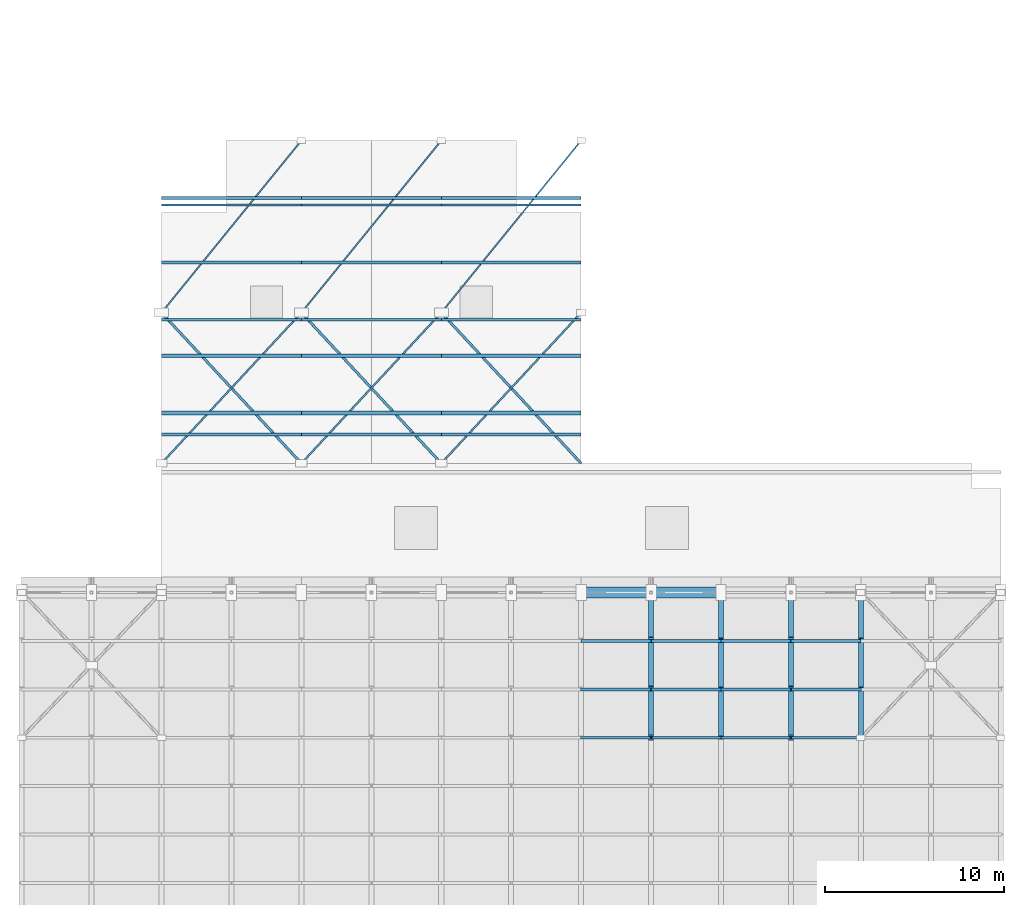
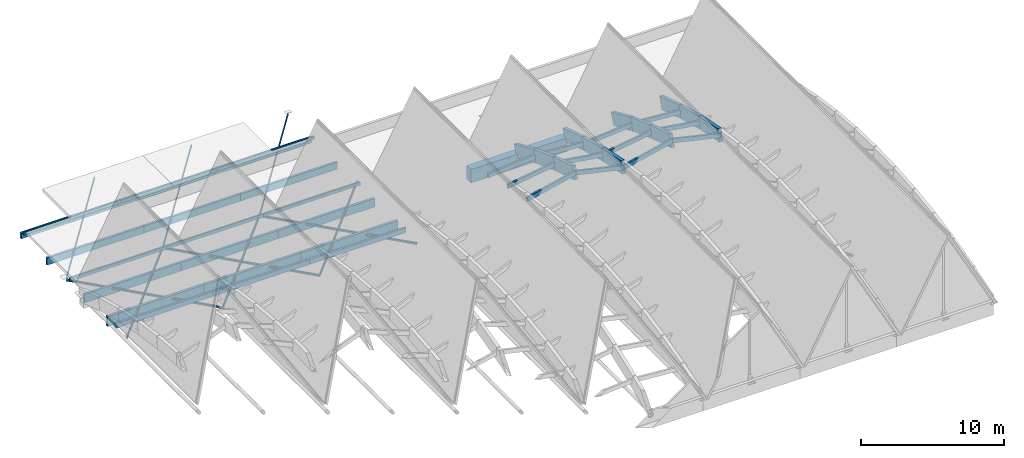
# One storey, part 20 of 39: 54 members, 1 beam.
"""IFC4 building model written with IfcOpenShell, lengths in metres."""

import ifcopenshell
import ifcopenshell.guid

model = None  # the IFC model being written
_history = None  # IfcOwnerHistory: only IFC2X3 demands one
_inside = {}  # id of a spatial element -> (the spatial element, [elements in it])
_under = {}  # id of a project, library or spatial element -> (it, [spatial elements below it])
_declared = {}  # id of a project -> (the project, [libraries it declares])
_typed = {}  # id of a type object -> (the type object, [elements of that type])
_made_of = {}  # id of a material, layer set ... -> (it, [elements and type objects made of it])


def new_model(schema):
    """Start an empty IFC model of exactly this schema.

    Asked for "IFC4X3", IfcOpenShell would pick the latest addendum, in which some entities
    have other attributes; the version numbers below select the first issue.
    IFC2X3 requires an IfcOwnerHistory on every rooted entity: one is made here for all.
    """
    global model, _history
    if schema == "IFC4X3":
        model = ifcopenshell.file(schema_version=(4, 3, 0, 0))
    else:
        model = ifcopenshell.file(schema=schema)
    _inside.clear()
    _under.clear()
    _declared.clear()
    _typed.clear()
    _made_of.clear()
    _history = None
    if model.schema == "IFC2X3":
        org = make("IfcOrganization", Name="unknown")
        user = make(
            "IfcPersonAndOrganization",
            ThePerson=make("IfcPerson", FamilyName="unknown"),
            TheOrganization=org,
        )
        app = make(
            "IfcApplication",
            ApplicationDeveloper=org,
            Version="unknown",
            ApplicationFullName="unknown",
            ApplicationIdentifier="unknown",
        )
        _history = make(
            "IfcOwnerHistory",
            OwningUser=user,
            OwningApplication=app,
            ChangeAction="ADDED",
            CreationDate=0,
        )
    return model


def make(cls, **values):
    """One entity of the class cls with the attributes given. An attribute that is None is left unset."""
    return model.create_entity(
        cls, **{name: value for name, value in values.items() if value is not None}
    )


def rooted(cls, **values):
    """An entity with a GlobalId (a new one), such as an element, a storey or a relation."""
    return make(cls, GlobalId=ifcopenshell.guid.new(), OwnerHistory=_history, **values)


def si_unit(unit_type, name, prefix=None):
    """IfcSIUnit, for example si_unit("LENGTHUNIT", "METRE", prefix="MILLI")."""
    return make("IfcSIUnit", UnitType=unit_type, Prefix=prefix, Name=name)


def assignment(units):
    """IfcUnitAssignment: the units of a project."""
    return None if units is None else make("IfcUnitAssignment", Units=units)


def point(xyz):
    """IfcCartesianPoint."""
    return None if xyz is None else make("IfcCartesianPoint", Coordinates=xyz)


def direction(xyz):
    """IfcDirection."""
    return None if xyz is None else make("IfcDirection", DirectionRatios=xyz)


def frame(location, z_axis=None, x_axis=None):
    """IfcAxis2Placement3D, a coordinate frame: its origin and axes. An axis left out is left unset."""
    return make(
        "IfcAxis2Placement3D",
        Location=point(location),
        Axis=direction(z_axis),
        RefDirection=direction(x_axis),
    )


def frame_2d(location, x_axis=None):
    """IfcAxis2Placement2D, a coordinate frame in the plane: its origin and x axis."""
    return make(
        "IfcAxis2Placement2D", Location=point(location), RefDirection=direction(x_axis)
    )


def origin():
    """The frame at (0, 0, 0) with its axes left unset."""
    return frame((0.0, 0.0, 0.0))


def origin_2d():
    """The frame at (0, 0) in the plane with its x axis left unset."""
    return frame_2d((0.0, 0.0))


def place(relative_to, where):
    """IfcLocalPlacement: puts the frame where relative to a parent placement (None: the world)."""
    return make(
        "IfcLocalPlacement", PlacementRelTo=relative_to, RelativePlacement=where
    )


def context(
    kind, dimensions, precision=None, world=None, true_north=None, identifier=None
):
    """IfcGeometricRepresentationContext, for example the 3D "Model" context."""
    return make(
        "IfcGeometricRepresentationContext",
        ContextIdentifier=identifier,
        ContextType=kind,
        CoordinateSpaceDimension=dimensions,
        Precision=precision,
        WorldCoordinateSystem=world,
        TrueNorth=true_north,
    )


def subcontext(parent, identifier, kind, view, scale=None):
    """IfcGeometricRepresentationSubContext, for example "Body" below "Model"."""
    return make(
        "IfcGeometricRepresentationSubContext",
        ContextIdentifier=identifier,
        ContextType=kind,
        ParentContext=parent,
        TargetScale=scale,
        TargetView=view,
    )


def project(units=None, contexts=None):
    """IfcProject with its units and contexts."""
    return rooted(
        "IfcProject",
        Name="project",
        RepresentationContexts=contexts,
        UnitsInContext=assignment(units),
    )


def spatial(cls, under=None, at=None, **own):
    """A site, building, storey or space (cls), placed at a placement, below another one or the project."""
    s = rooted(cls, ObjectPlacement=at, **own)
    if under is not None:
        _under.setdefault(under.id(), (under, []))[1].append(s)
    return s


def profile(cls, at=None, kind="AREA", **sizes):
    """A parametric profile (cls). Its sizes go by their IFC names, for example OverallWidth=200.0."""
    return make(cls, ProfileType=kind, Position=at, **sizes)


def rectangle(**sizes):
    """IfcRectangleProfileDef."""
    return profile("IfcRectangleProfileDef", **sizes)


def hollow_rectangle(**sizes):
    """IfcRectangleHollowProfileDef."""
    return profile("IfcRectangleHollowProfileDef", **sizes)


def extrude(swept, where, along, depth):
    """IfcExtrudedAreaSolid: the profile swept, set in the frame where, extruded along a direction by depth."""
    return make(
        "IfcExtrudedAreaSolid",
        SweptArea=swept,
        Position=where,
        ExtrudedDirection=direction(along),
        Depth=depth,
    )


def shape(context_of_items, identifier, shape_type, items):
    """IfcShapeRepresentation: the items that make up one representation, for example the "Body"."""
    return make(
        "IfcShapeRepresentation",
        ContextOfItems=context_of_items,
        RepresentationIdentifier=identifier,
        RepresentationType=shape_type,
        Items=items,
    )


def material(Name=None, Category=None):
    """IfcMaterial."""
    return make("IfcMaterial", Name=Name, Category=Category)


def material_profile(
    of_material, cross_section, Name=None, Category=None, Priority=None
):
    """IfcMaterialProfile: a cross section and its material."""
    return make(
        "IfcMaterialProfile",
        Name=Name,
        Material=of_material,
        Profile=cross_section,
        Priority=Priority,
        Category=Category,
    )


def profile_set(profiles, Name=None, composite=None):
    """IfcMaterialProfileSet."""
    return make(
        "IfcMaterialProfileSet",
        Name=Name,
        MaterialProfiles=profiles,
        CompositeProfile=composite,
    )


def made_of(thing, what):
    """Note that an element or type object is made of a material, layer set ...; save() writes the relation."""
    if what is not None:
        _made_of.setdefault(what.id(), (what, []))[1].append(thing)
    return thing


def type_object(cls, material=None, **own):
    """A type object (cls), such as IfcWallType, which elements share."""
    return made_of(rooted(cls, **own), material)


def element(
    cls,
    number,
    at=None,
    inside=None,
    cuts=None,
    type_object=None,
    material=None,
    context=None,
    identifier="Body",
    shape_type=None,
    held_by="IfcProductDefinitionShape",
    body=None,
    shapes=None,
    **own,
):
    """One element of the class cls, such as IfcWall. Its Tag is "e" and its number.

    at: its placement. inside: the storey or other place that contains it. cuts: it is an
    opening in that element (IfcRelVoidsElement). A single representation is given by context,
    identifier, shape_type and body (its items); several are given by shapes. held_by: the class
    of the entity that holds the representations. save() writes the other relations.
    """
    e = rooted(cls, Tag="e%d" % number, ObjectPlacement=at, **own)
    if body is not None:
        shapes = [shape(context, identifier, shape_type, body)]
    if shapes is not None:
        e.Representation = make(held_by, Representations=shapes)
    if inside is not None:
        _inside.setdefault(inside.id(), (inside, []))[1].append(e)
    if cuts is not None:
        rooted(
            "IfcRelVoidsElement", RelatingBuildingElement=cuts, RelatedOpeningElement=e
        )
    if type_object is not None:
        _typed.setdefault(type_object.id(), (type_object, []))[1].append(e)
    return made_of(e, material)


def aggregate(whole, parts):
    """IfcRelAggregates: a whole, such as a stair, and the parts it consists of."""
    return rooted("IfcRelAggregates", RelatingObject=whole, RelatedObjects=parts)


def save(model, path):
    """Write the relations noted so far, then the file.

    IfcRelAggregates (storeys below a building ...), IfcRelContainedInSpatialStructure (elements
    in a storey), IfcRelDefinesByType, IfcRelAssociatesMaterial and IfcRelDeclares: one each for
    every whole, place, type object, material and project.
    """
    for whole, parts in _under.values():
        aggregate(whole, parts)
    for where, things in _inside.values():
        rooted(
            "IfcRelContainedInSpatialStructure",
            RelatedElements=things,
            RelatingStructure=where,
        )
    for kind, things in _typed.values():
        rooted("IfcRelDefinesByType", RelatedObjects=things, RelatingType=kind)
    for what, things in _made_of.values():
        rooted("IfcRelAssociatesMaterial", RelatedObjects=things, RelatingMaterial=what)
    for by, libraries in _declared.values():
        rooted("IfcRelDeclares", RelatingContext=by, RelatedDefinitions=libraries)
    model.write(path)


model = new_model("IFC4")

# Units and contexts
model_context = context("Model", 3, precision=1e-05, world=origin(), true_north=direction((0.0, 1.0)))
body_context = subcontext(model_context, "Body", "Model", "MODEL_VIEW")
ifc_project = project(units=[si_unit("LENGTHUNIT", "METRE"), si_unit("AREAUNIT", "SQUARE_METRE"), si_unit("VOLUMEUNIT", "CUBIC_METRE"), si_unit("PLANEANGLEUNIT", "RADIAN"), si_unit("MASSUNIT", "GRAM", prefix="KILO")], contexts=[model_context])

# Site, building, storey
site_placement = place(None, origin())
site = spatial("IfcSite", under=ifc_project, at=site_placement, CompositionType="ELEMENT")
building_placement = place(site_placement, origin())
building = spatial("IfcBuilding", under=site, at=building_placement, Name="Tizgana Railside Sports Hall", CompositionType="ELEMENT")
storey_placement = place(building_placement, frame((0.0, 0.0, 23.699951171875)))
storey = spatial("IfcBuildingStorey", under=building, at=storey_placement, Name="RF", CompositionType="ELEMENT", Elevation=23.699951171875)

# Beam
ifc_material_1 = material(Name="Concrete C40/50", Category="concrete")
ifc_material_profile_1 = material_profile(ifc_material_1, rectangle(XDim=0.60009765625, YDim=1.14990234375, at=origin_2d()), Name="RCB 600x1150")
ifc_profile_set_1 = profile_set([ifc_material_profile_1], Name="Concrete C40/50")
beam_type = type_object("IfcBeamType", Name="Concrete Beam RCB 600x1150", PredefinedType="BEAM", material=ifc_profile_set_1)
beam_placement = place(storey_placement, frame((31.199951171875, 73.199951171875, -8.9189453125), z_axis=(1.0, 0.0, 0.0), x_axis=(0.0, 1.0, 0.0)))
element("IfcBeam", 1, at=beam_placement, inside=storey, type_object=beam_type, Name="RF BEM-1220", PredefinedType="BEAM", context=body_context, shape_type="SweptSolid", body=[
    extrude(rectangle(XDim=0.60009765625, YDim=1.14990234375, at=origin_2d()), origin(), (0.0, 0.0, 1.0), 7.800048828125),
])

# Members
ifc_material_2 = material(Name="Glulam GL28h", Category="wood")
ifc_material_profile_2 = material_profile(ifc_material_2, rectangle(XDim=0.179931640625, YDim=0.47998046875, at=origin_2d()), Name="GL 180x480")
ifc_profile_set_2 = profile_set([ifc_material_profile_2], Name="Glulam GL28h")
member_type_1 = type_object("IfcMemberType", Name="Glulam Arch Segment GL 180x480", PredefinedType="USERDEFINED", material=ifc_profile_set_2)
member_1_placement = place(storey_placement, frame((7.800048828125, 95.199951171875, -19.280029296875), z_axis=(1.0, 0.0, 0.0), x_axis=(0.0, 1.0, 0.0)))
element("IfcMember", 2, at=member_1_placement, inside=storey, type_object=member_type_1, Name="RF NW Glulam Rafter MEM-0788", ObjectType="ARCH_SEGMENT", PredefinedType="USERDEFINED", context=body_context, shape_type="SweptSolid", body=[
    extrude(rectangle(XDim=0.179931640625, YDim=0.47998046875, at=origin_2d()), origin(), (0.0, 0.0, 1.0), 7.800048828125),
])
member_2_placement = place(storey_placement, frame((15.60009765625, 95.199951171875, -19.280029296875), z_axis=(1.0, 0.0, 0.0), x_axis=(0.0, 1.0, 0.0)))
element("IfcMember", 3, at=member_2_placement, inside=storey, type_object=member_type_1, Name="RF NW Glulam Rafter MEM-0798", ObjectType="ARCH_SEGMENT", PredefinedType="USERDEFINED", context=body_context, shape_type="SweptSolid", body=[
    extrude(rectangle(XDim=0.179931640625, YDim=0.47998046875, at=origin_2d()), origin(), (0.0, 0.0, 1.0), 7.7998046875),
])
member_3_placement = place(storey_placement, frame((23.39990234375, 95.199951171875, -19.280029296875), z_axis=(1.0, 0.0, 0.0), x_axis=(0.0, 1.0, 0.0)))
element("IfcMember", 4, at=member_3_placement, inside=storey, type_object=member_type_1, Name="RF NW Glulam Rafter MEM-0808", ObjectType="ARCH_SEGMENT", PredefinedType="USERDEFINED", context=body_context, shape_type="SweptSolid", body=[
    extrude(rectangle(XDim=0.179931640625, YDim=0.47998046875, at=origin_2d()), origin(), (0.0, 0.0, 1.0), 7.800048828125),
])
ifc_material_profile_3 = material_profile(ifc_material_2, rectangle(XDim=0.179931640625, YDim=0.60009765625, at=origin_2d()), Name="GL 180x600")
ifc_profile_set_3 = profile_set([ifc_material_profile_3], Name="Glulam GL28h")
member_type_2 = type_object("IfcMemberType", Name="Glulam Arch Segment GL 180x600", PredefinedType="USERDEFINED", material=ifc_profile_set_3)
member_4_placement = place(storey_placement, frame((7.800048828125, 91.60009765625, -19.280029296875), z_axis=(1.0, 0.0, 0.0), x_axis=(0.0, 1.0, 0.0)))
element("IfcMember", 5, at=member_4_placement, inside=storey, type_object=member_type_2, Name="RF NW Glulam Rafter MEM-0787", ObjectType="ARCH_SEGMENT", PredefinedType="USERDEFINED", context=body_context, shape_type="SweptSolid", body=[
    extrude(rectangle(XDim=0.179931640625, YDim=0.60009765625, at=origin_2d()), origin(), (0.0, 0.0, 1.0), 7.800048828125),
])
member_5_placement = place(storey_placement, frame((15.60009765625, 91.60009765625, -19.280029296875), z_axis=(1.0, 0.0, 0.0), x_axis=(0.0, 1.0, 0.0)))
element("IfcMember", 6, at=member_5_placement, inside=storey, type_object=member_type_2, Name="RF NW Glulam Rafter MEM-0797", ObjectType="ARCH_SEGMENT", PredefinedType="USERDEFINED", context=body_context, shape_type="SweptSolid", body=[
    extrude(rectangle(XDim=0.179931640625, YDim=0.60009765625, at=origin_2d()), origin(), (0.0, 0.0, 1.0), 7.7998046875),
])
member_6_placement = place(storey_placement, frame((23.39990234375, 91.60009765625, -19.280029296875), z_axis=(1.0, 0.0, 0.0), x_axis=(0.0, 1.0, 0.0)))
element("IfcMember", 7, at=member_6_placement, inside=storey, type_object=member_type_2, Name="RF NW Glulam Rafter MEM-0807", ObjectType="ARCH_SEGMENT", PredefinedType="USERDEFINED", context=body_context, shape_type="SweptSolid", body=[
    extrude(rectangle(XDim=0.179931640625, YDim=0.60009765625, at=origin_2d()), origin(), (0.0, 0.0, 1.0), 7.800048828125),
])
ifc_material_profile_4 = material_profile(ifc_material_2, rectangle(XDim=0.199951171875, YDim=0.719970703125, at=origin_2d()), Name="GL 200x720")
ifc_profile_set_4 = profile_set([ifc_material_profile_4], Name="Glulam GL28h")
member_type_3 = type_object("IfcMemberType", Name="Glulam Arch Segment GL 200x720", PredefinedType="USERDEFINED", material=ifc_profile_set_4)
member_7_placement = place(storey_placement, frame((7.800048828125, 86.39990234375, -19.280029296875), z_axis=(1.0, 0.0, 0.0), x_axis=(0.0, 1.0, 0.0)))
element("IfcMember", 8, at=member_7_placement, inside=storey, type_object=member_type_3, Name="RF NW Glulam Rafter MEM-0786", ObjectType="ARCH_SEGMENT", PredefinedType="USERDEFINED", context=body_context, shape_type="SweptSolid", body=[
    extrude(rectangle(XDim=0.199951171875, YDim=0.719970703125, at=origin_2d()), origin(), (0.0, 0.0, 1.0), 7.800048828125),
])
member_8_placement = place(storey_placement, frame((15.60009765625, 86.39990234375, -19.280029296875), z_axis=(1.0, 0.0, 0.0), x_axis=(0.0, 1.0, 0.0)))
element("IfcMember", 9, at=member_8_placement, inside=storey, type_object=member_type_3, Name="RF NW Glulam Rafter MEM-0796", ObjectType="ARCH_SEGMENT", PredefinedType="USERDEFINED", context=body_context, shape_type="SweptSolid", body=[
    extrude(rectangle(XDim=0.199951171875, YDim=0.719970703125, at=origin_2d()), origin(), (0.0, 0.0, 1.0), 7.7998046875),
])
member_9_placement = place(storey_placement, frame((23.39990234375, 86.39990234375, -19.280029296875), z_axis=(1.0, 0.0, 0.0), x_axis=(0.0, 1.0, 0.0)))
element("IfcMember", 10, at=member_9_placement, inside=storey, type_object=member_type_3, Name="RF NW Glulam Rafter MEM-0806", ObjectType="ARCH_SEGMENT", PredefinedType="USERDEFINED", context=body_context, shape_type="SweptSolid", body=[
    extrude(rectangle(XDim=0.199951171875, YDim=0.719970703125, at=origin_2d()), origin(), (0.0, 0.0, 1.0), 7.800048828125),
])
ifc_material_3 = material(Name="Glulam GL32h", Category="wood")
ifc_material_profile_5 = material_profile(ifc_material_3, rectangle(XDim=0.219970703125, YDim=0.820068359375, at=origin_2d()), Name="GL 220x820")
ifc_profile_set_5 = profile_set([ifc_material_profile_5], Name="Glulam GL32h")
member_type_4 = type_object("IfcMemberType", Name="Glulam Arch Segment GL 220x820", PredefinedType="USERDEFINED", material=ifc_profile_set_5)
member_10_placement = place(storey_placement, frame((7.800048828125, 83.199951171875, -19.280029296875), z_axis=(1.0, 0.0, 0.0), x_axis=(0.0, 1.0, 0.0)))
element("IfcMember", 11, at=member_10_placement, inside=storey, type_object=member_type_4, Name="RF NW Glulam Rafter MEM-0785", ObjectType="ARCH_SEGMENT", PredefinedType="USERDEFINED", context=body_context, shape_type="SweptSolid", body=[
    extrude(rectangle(XDim=0.219970703125, YDim=0.820068359375, at=origin_2d()), origin(), (0.0, 0.0, 1.0), 7.800048828125),
])
member_11_placement = place(storey_placement, frame((15.60009765625, 83.199951171875, -19.280029296875), z_axis=(1.0, 0.0, 0.0), x_axis=(0.0, 1.0, 0.0)))
element("IfcMember", 12, at=member_11_placement, inside=storey, type_object=member_type_4, Name="RF NW Glulam Rafter MEM-0795", ObjectType="ARCH_SEGMENT", PredefinedType="USERDEFINED", context=body_context, shape_type="SweptSolid", body=[
    extrude(rectangle(XDim=0.219970703125, YDim=0.820068359375, at=origin_2d()), origin(), (0.0, 0.0, 1.0), 7.7998046875),
])
member_12_placement = place(storey_placement, frame((23.39990234375, 83.199951171875, -19.280029296875), z_axis=(1.0, 0.0, 0.0), x_axis=(0.0, 1.0, 0.0)))
element("IfcMember", 13, at=member_12_placement, inside=storey, type_object=member_type_4, Name="RF NW Glulam Rafter MEM-0805", ObjectType="ARCH_SEGMENT", PredefinedType="USERDEFINED", context=body_context, shape_type="SweptSolid", body=[
    extrude(rectangle(XDim=0.219970703125, YDim=0.820068359375, at=origin_2d()), origin(), (0.0, 0.0, 1.0), 7.800048828125),
])
ifc_material_profile_6 = material_profile(ifc_material_3, rectangle(XDim=0.280029296875, YDim=1.050048828125, at=origin_2d()), Name="GL 280x1050")
ifc_profile_set_6 = profile_set([ifc_material_profile_6], Name="Glulam GL32h")
member_type_5 = type_object("IfcMemberType", Name="Glulam Arch Segment GL 280x1050", PredefinedType="USERDEFINED", material=ifc_profile_set_6)
member_13_placement = place(storey_placement, frame((35.10009765625, 65.10009765625, -5.221923828125), z_axis=(0.0, 0.954601237081, -0.297886686786), x_axis=(-1.0, 0.0, 0.0)))
element("IfcMember", 14, at=member_13_placement, inside=storey, type_object=member_type_5, Name="RF V1 Arch Chord MEM-0150", ObjectType="ARCH_SEGMENT", PredefinedType="USERDEFINED", context=body_context, shape_type="SweptSolid", body=[
    extrude(rectangle(XDim=0.280029296875, YDim=1.050048828125, at=origin_2d()), origin(), (0.0, 0.0, 1.0), 2.828369140625),
])
member_14_placement = place(storey_placement, frame((35.10009765625, 67.800048828125, -6.064453125), z_axis=(0.0, 0.936999478025, -0.349330757564), x_axis=(-1.0, 0.0, 0.0)))
element("IfcMember", 15, at=member_14_placement, inside=storey, type_object=member_type_5, Name="RF V1 Arch Chord MEM-0151", ObjectType="ARCH_SEGMENT", PredefinedType="USERDEFINED", context=body_context, shape_type="SweptSolid", body=[
    extrude(rectangle(XDim=0.280029296875, YDim=1.050048828125, at=origin_2d()), origin(), (0.0, 0.0, 1.0), 2.881591796875),
])
member_15_placement = place(storey_placement, frame((35.10009765625, 70.5, -7.071044921875), z_axis=(0.0, 0.91644048833, -0.400171002635), x_axis=(-1.0, 0.0, 0.0)))
element("IfcMember", 16, at=member_15_placement, inside=storey, type_object=member_type_5, Name="RF V1 Arch Chord MEM-0152", ObjectType="ARCH_SEGMENT", PredefinedType="USERDEFINED", context=body_context, shape_type="SweptSolid", body=[
    extrude(rectangle(XDim=0.280029296875, YDim=1.050048828125, at=origin_2d()), origin(), (0.0, 0.0, 1.0), 2.946044921875),
])
member_16_placement = place(storey_placement, frame((39.0, 65.10009765625, -6.1220703125), z_axis=(0.0, 0.980423512867, -0.196900318481), x_axis=(-1.0, 0.0, 0.0)))
element("IfcMember", 17, at=member_16_placement, inside=storey, type_object=member_type_5, Name="RF V1 Arch Chord MEM-0163", ObjectType="ARCH_SEGMENT", PredefinedType="USERDEFINED", context=body_context, shape_type="SweptSolid", body=[
    extrude(rectangle(XDim=0.280029296875, YDim=1.050048828125, at=origin_2d()), origin(), (0.0, 0.0, 1.0), 2.75390625),
])
member_17_placement = place(storey_placement, frame((39.0, 67.800048828125, -6.664306640625), z_axis=(0.0, 0.96740233444, -0.253244394448), x_axis=(-1.0, 0.0, 0.0)))
element("IfcMember", 18, at=member_17_placement, inside=storey, type_object=member_type_5, Name="RF V1 Arch Chord MEM-0164", ObjectType="ARCH_SEGMENT", PredefinedType="USERDEFINED", context=body_context, shape_type="SweptSolid", body=[
    extrude(rectangle(XDim=0.280029296875, YDim=1.050048828125, at=origin_2d()), origin(), (0.0, 0.0, 1.0), 2.791015625),
])
member_18_placement = place(storey_placement, frame((39.0, 70.5, -7.37109375), z_axis=(0.0, 0.95088673489, -0.309539040203), x_axis=(-1.0, 0.0, 0.0)))
element("IfcMember", 19, at=member_18_placement, inside=storey, type_object=member_type_5, Name="RF V1 Arch Chord MEM-0165", ObjectType="ARCH_SEGMENT", PredefinedType="USERDEFINED", context=body_context, shape_type="SweptSolid", body=[
    extrude(rectangle(XDim=0.280029296875, YDim=1.050048828125, at=origin_2d()), origin(), (0.0, 0.0, 1.0), 2.83935546875),
])
member_19_placement = place(storey_placement, frame((42.89990234375, 65.10009765625, -5.221923828125), z_axis=(0.0, 0.954601237081, -0.297886686786), x_axis=(-1.0, 0.0, 0.0)))
element("IfcMember", 20, at=member_19_placement, inside=storey, type_object=member_type_5, Name="RF V1 Arch Chord MEM-0176", ObjectType="ARCH_SEGMENT", PredefinedType="USERDEFINED", context=body_context, shape_type="SweptSolid", body=[
    extrude(rectangle(XDim=0.280029296875, YDim=1.050048828125, at=origin_2d()), origin(), (0.0, 0.0, 1.0), 2.828369140625),
])
member_20_placement = place(storey_placement, frame((42.89990234375, 67.800048828125, -6.064453125), z_axis=(0.0, 0.936999478025, -0.349330757564), x_axis=(-1.0, 0.0, 0.0)))
element("IfcMember", 21, at=member_20_placement, inside=storey, type_object=member_type_5, Name="RF V1 Arch Chord MEM-0177", ObjectType="ARCH_SEGMENT", PredefinedType="USERDEFINED", context=body_context, shape_type="SweptSolid", body=[
    extrude(rectangle(XDim=0.280029296875, YDim=1.050048828125, at=origin_2d()), origin(), (0.0, 0.0, 1.0), 2.881591796875),
])
member_21_placement = place(storey_placement, frame((42.89990234375, 70.5, -7.071044921875), z_axis=(0.0, 0.91644048833, -0.400171002635), x_axis=(-1.0, 0.0, 0.0)))
element("IfcMember", 22, at=member_21_placement, inside=storey, type_object=member_type_5, Name="RF V1 Arch Chord MEM-0178", ObjectType="ARCH_SEGMENT", PredefinedType="USERDEFINED", context=body_context, shape_type="SweptSolid", body=[
    extrude(rectangle(XDim=0.280029296875, YDim=1.050048828125, at=origin_2d()), origin(), (0.0, 0.0, 1.0), 2.946044921875),
])
member_22_placement = place(storey_placement, frame((46.800048828125, 65.10009765625, -6.1220703125), z_axis=(0.0, 0.980423512867, -0.196900318481), x_axis=(-1.0, 0.0, 0.0)))
element("IfcMember", 23, at=member_22_placement, inside=storey, type_object=member_type_5, Name="RF V1 Arch Chord MEM-0189", ObjectType="ARCH_SEGMENT", PredefinedType="USERDEFINED", context=body_context, shape_type="SweptSolid", body=[
    extrude(rectangle(XDim=0.280029296875, YDim=1.050048828125, at=origin_2d()), origin(), (0.0, 0.0, 1.0), 2.75390625),
])
member_23_placement = place(storey_placement, frame((46.800048828125, 67.800048828125, -6.664306640625), z_axis=(0.0, 0.96740233444, -0.253244394448), x_axis=(-1.0, 0.0, 0.0)))
element("IfcMember", 24, at=member_23_placement, inside=storey, type_object=member_type_5, Name="RF V1 Arch Chord MEM-0190", ObjectType="ARCH_SEGMENT", PredefinedType="USERDEFINED", context=body_context, shape_type="SweptSolid", body=[
    extrude(rectangle(XDim=0.280029296875, YDim=1.050048828125, at=origin_2d()), origin(), (0.0, 0.0, 1.0), 2.791015625),
])
member_24_placement = place(storey_placement, frame((46.800048828125, 70.5, -7.37109375), z_axis=(0.0, 0.95088673489, -0.309539040203), x_axis=(-1.0, 0.0, 0.0)))
element("IfcMember", 25, at=member_24_placement, inside=storey, type_object=member_type_5, Name="RF V1 Arch Chord MEM-0191", ObjectType="ARCH_SEGMENT", PredefinedType="USERDEFINED", context=body_context, shape_type="SweptSolid", body=[
    extrude(rectangle(XDim=0.280029296875, YDim=1.050048828125, at=origin_2d()), origin(), (0.0, 0.0, 1.0), 2.83935546875),
])
ifc_material_profile_7 = material_profile(ifc_material_2, rectangle(XDim=0.1201171875, YDim=0.239990234375, at=origin_2d()), Name="GL 120x240")
ifc_profile_set_7 = profile_set([ifc_material_profile_7], Name="Glulam GL28h")
member_type_6 = type_object("IfcMemberType", Name="Glulam Roof Purlin GL 120x240", PredefinedType="PURLIN", material=ifc_profile_set_7)
member_25_placement = place(storey_placement, frame((7.800048828125, 94.800048828125, -18.864013671875), z_axis=(1.0, 0.0, 0.0), x_axis=(0.0, 1.0, 0.0)))
element("IfcMember", 26, at=member_25_placement, inside=storey, type_object=member_type_6, Name="RF NW Purlin MEM-0791", PredefinedType="PURLIN", context=body_context, shape_type="SweptSolid", body=[
    extrude(rectangle(XDim=0.1201171875, YDim=0.239990234375, at=origin_2d()), origin(), (0.0, 0.0, 1.0), 7.800048828125),
])
member_26_placement = place(storey_placement, frame((15.60009765625, 94.800048828125, -18.864013671875), z_axis=(1.0, 0.0, 0.0), x_axis=(0.0, 1.0, 0.0)))
element("IfcMember", 27, at=member_26_placement, inside=storey, type_object=member_type_6, Name="RF NW Purlin MEM-0801", PredefinedType="PURLIN", context=body_context, shape_type="SweptSolid", body=[
    extrude(rectangle(XDim=0.1201171875, YDim=0.239990234375, at=origin_2d()), origin(), (0.0, 0.0, 1.0), 7.7998046875),
])
member_27_placement = place(storey_placement, frame((23.39990234375, 94.800048828125, -18.864013671875), z_axis=(1.0, 0.0, 0.0), x_axis=(0.0, 1.0, 0.0)))
element("IfcMember", 28, at=member_27_placement, inside=storey, type_object=member_type_6, Name="RF NW Purlin MEM-0811", PredefinedType="PURLIN", context=body_context, shape_type="SweptSolid", body=[
    extrude(rectangle(XDim=0.1201171875, YDim=0.239990234375, at=origin_2d()), origin(), (0.0, 0.0, 1.0), 7.800048828125),
])
ifc_material_profile_8 = material_profile(ifc_material_2, rectangle(XDim=0.139892578125, YDim=0.280029296875, at=origin_2d()), Name="GL 140x280")
ifc_profile_set_8 = profile_set([ifc_material_profile_8], Name="Glulam GL28h")
member_type_7 = type_object("IfcMemberType", Name="Glulam Roof Purlin GL 140x280", PredefinedType="PURLIN", material=ifc_profile_set_8)
member_28_placement = place(storey_placement, frame((7.800048828125, 88.39990234375, -18.884033203125), z_axis=(1.0, 0.0, 0.0), x_axis=(0.0, 1.0, 0.0)))
element("IfcMember", 29, at=member_28_placement, inside=storey, type_object=member_type_7, Name="RF NW Purlin MEM-0790", PredefinedType="PURLIN", context=body_context, shape_type="SweptSolid", body=[
    extrude(rectangle(XDim=0.139892578125, YDim=0.280029296875, at=origin_2d()), origin(), (0.0, 0.0, 1.0), 7.800048828125),
])
member_29_placement = place(storey_placement, frame((15.60009765625, 88.39990234375, -18.884033203125), z_axis=(1.0, 0.0, 0.0), x_axis=(0.0, 1.0, 0.0)))
element("IfcMember", 30, at=member_29_placement, inside=storey, type_object=member_type_7, Name="RF NW Purlin MEM-0800", PredefinedType="PURLIN", context=body_context, shape_type="SweptSolid", body=[
    extrude(rectangle(XDim=0.139892578125, YDim=0.280029296875, at=origin_2d()), origin(), (0.0, 0.0, 1.0), 7.7998046875),
])
member_30_placement = place(storey_placement, frame((23.39990234375, 88.39990234375, -18.884033203125), z_axis=(1.0, 0.0, 0.0), x_axis=(0.0, 1.0, 0.0)))
element("IfcMember", 31, at=member_30_placement, inside=storey, type_object=member_type_7, Name="RF NW Purlin MEM-0810", PredefinedType="PURLIN", context=body_context, shape_type="SweptSolid", body=[
    extrude(rectangle(XDim=0.139892578125, YDim=0.280029296875, at=origin_2d()), origin(), (0.0, 0.0, 1.0), 7.800048828125),
])
ifc_material_profile_9 = material_profile(ifc_material_2, rectangle(XDim=0.159912109375, YDim=0.360107421875, at=origin_2d()), Name="GL 160x360")
ifc_profile_set_9 = profile_set([ifc_material_profile_9], Name="Glulam GL28h")
member_type_8 = type_object("IfcMemberType", Name="Glulam Roof Purlin GL 160x360", PredefinedType="PURLIN", material=ifc_profile_set_9)
member_31_placement = place(storey_placement, frame((31.199951171875, 65.10009765625, -6.1220703125), z_axis=(0.974385027358, 0.0, 0.224886234483), x_axis=(0.0, 1.0, 0.0)))
element("IfcMember", 32, at=member_31_placement, inside=storey, type_object=member_type_8, Name="RF V1 Purlin MEM-0343", PredefinedType="PURLIN", context=body_context, shape_type="SweptSolid", body=[
    extrude(rectangle(XDim=0.159912109375, YDim=0.360107421875, at=origin_2d()), origin(), (0.0, 0.0, 1.0), 4.002685546875),
])
member_32_placement = place(storey_placement, frame((35.10009765625, 65.10009765625, -5.221923828125), z_axis=(0.974381942365, 0.0, -0.224899600695), x_axis=(0.0, 1.0, 0.0)))
element("IfcMember", 33, at=member_32_placement, inside=storey, type_object=member_type_8, Name="RF V1 Purlin MEM-0344", PredefinedType="PURLIN", context=body_context, shape_type="SweptSolid", body=[
    extrude(rectangle(XDim=0.159912109375, YDim=0.360107421875, at=origin_2d()), origin(), (0.0, 0.0, 1.0), 4.00244140625),
])
member_33_placement = place(storey_placement, frame((31.199951171875, 67.800048828125, -6.664306640625), z_axis=(0.988378134138, 0.0, 0.152015341194), x_axis=(0.0, 1.0, 0.0)))
element("IfcMember", 34, at=member_33_placement, inside=storey, type_object=member_type_8, Name="RF V1 Purlin MEM-0345", PredefinedType="PURLIN", context=body_context, shape_type="SweptSolid", body=[
    extrude(rectangle(XDim=0.159912109375, YDim=0.360107421875, at=origin_2d()), origin(), (0.0, 0.0, 1.0), 3.946044921875),
])
member_34_placement = place(storey_placement, frame((35.10009765625, 67.800048828125, -6.064453125), z_axis=(0.988376704266, 0.0, -0.152024637685), x_axis=(0.0, 1.0, 0.0)))
element("IfcMember", 35, at=member_34_placement, inside=storey, type_object=member_type_8, Name="RF V1 Purlin MEM-0346", PredefinedType="PURLIN", context=body_context, shape_type="SweptSolid", body=[
    extrude(rectangle(XDim=0.159912109375, YDim=0.360107421875, at=origin_2d()), origin(), (0.0, 0.0, 1.0), 3.94580078125),
])
member_35_placement = place(storey_placement, frame((31.199951171875, 70.5, -7.37109375), z_axis=(0.997053751181, 0.0, 0.076706044457), x_axis=(0.0, 1.0, 0.0)))
element("IfcMember", 36, at=member_35_placement, inside=storey, type_object=member_type_8, Name="RF V1 Purlin MEM-0347", PredefinedType="PURLIN", context=body_context, shape_type="SweptSolid", body=[
    extrude(rectangle(XDim=0.159912109375, YDim=0.360107421875, at=origin_2d()), origin(), (0.0, 0.0, 1.0), 3.91162109375),
])
member_36_placement = place(storey_placement, frame((35.10009765625, 70.5, -7.071044921875), z_axis=(0.997053383918, 0.0, -0.076710818132), x_axis=(0.0, 1.0, 0.0)))
element("IfcMember", 37, at=member_36_placement, inside=storey, type_object=member_type_8, Name="RF V1 Purlin MEM-0348", PredefinedType="PURLIN", context=body_context, shape_type="SweptSolid", body=[
    extrude(rectangle(XDim=0.159912109375, YDim=0.360107421875, at=origin_2d()), origin(), (0.0, 0.0, 1.0), 3.911376953125),
])
member_37_placement = place(storey_placement, frame((39.0, 65.10009765625, -6.1220703125), z_axis=(0.974381942365, 0.0, 0.224899600695), x_axis=(0.0, 1.0, 0.0)))
element("IfcMember", 38, at=member_37_placement, inside=storey, type_object=member_type_8, Name="RF V1 Purlin MEM-0368", PredefinedType="PURLIN", context=body_context, shape_type="SweptSolid", body=[
    extrude(rectangle(XDim=0.159912109375, YDim=0.360107421875, at=origin_2d()), origin(), (0.0, 0.0, 1.0), 4.00244140625),
])
member_38_placement = place(storey_placement, frame((42.89990234375, 65.10009765625, -5.221923828125), z_axis=(0.974385027358, 0.0, -0.224886234483), x_axis=(0.0, 1.0, 0.0)))
element("IfcMember", 39, at=member_38_placement, inside=storey, type_object=member_type_8, Name="RF V1 Purlin MEM-0369", PredefinedType="PURLIN", context=body_context, shape_type="SweptSolid", body=[
    extrude(rectangle(XDim=0.159912109375, YDim=0.360107421875, at=origin_2d()), origin(), (0.0, 0.0, 1.0), 4.002685546875),
])
member_39_placement = place(storey_placement, frame((39.0, 67.800048828125, -6.664306640625), z_axis=(0.988376704266, 0.0, 0.152024637685), x_axis=(0.0, 1.0, 0.0)))
element("IfcMember", 40, at=member_39_placement, inside=storey, type_object=member_type_8, Name="RF V1 Purlin MEM-0370", PredefinedType="PURLIN", context=body_context, shape_type="SweptSolid", body=[
    extrude(rectangle(XDim=0.159912109375, YDim=0.360107421875, at=origin_2d()), origin(), (0.0, 0.0, 1.0), 3.94580078125),
])
member_40_placement = place(storey_placement, frame((42.89990234375, 67.800048828125, -6.064453125), z_axis=(0.988378134138, 0.0, -0.152015341194), x_axis=(0.0, 1.0, 0.0)))
element("IfcMember", 41, at=member_40_placement, inside=storey, type_object=member_type_8, Name="RF V1 Purlin MEM-0371", PredefinedType="PURLIN", context=body_context, shape_type="SweptSolid", body=[
    extrude(rectangle(XDim=0.159912109375, YDim=0.360107421875, at=origin_2d()), origin(), (0.0, 0.0, 1.0), 3.946044921875),
])
member_41_placement = place(storey_placement, frame((39.0, 70.5, -7.37109375), z_axis=(0.997053383918, 0.0, 0.076710818132), x_axis=(0.0, 1.0, 0.0)))
element("IfcMember", 42, at=member_41_placement, inside=storey, type_object=member_type_8, Name="RF V1 Purlin MEM-0372", PredefinedType="PURLIN", context=body_context, shape_type="SweptSolid", body=[
    extrude(rectangle(XDim=0.159912109375, YDim=0.360107421875, at=origin_2d()), origin(), (0.0, 0.0, 1.0), 3.911376953125),
])
member_42_placement = place(storey_placement, frame((42.89990234375, 70.5, -7.071044921875), z_axis=(0.997053751181, 0.0, -0.076706044457), x_axis=(0.0, 1.0, 0.0)))
element("IfcMember", 43, at=member_42_placement, inside=storey, type_object=member_type_8, Name="RF V1 Purlin MEM-0373", PredefinedType="PURLIN", context=body_context, shape_type="SweptSolid", body=[
    extrude(rectangle(XDim=0.159912109375, YDim=0.360107421875, at=origin_2d()), origin(), (0.0, 0.0, 1.0), 3.91162109375),
])
ifc_material_profile_10 = material_profile(ifc_material_2, rectangle(XDim=0.159912109375, YDim=0.419921875, at=origin_2d()), Name="GL 160x420")
ifc_profile_set_10 = profile_set([ifc_material_profile_10], Name="Glulam GL28h")
member_type_9 = type_object("IfcMemberType", Name="Glulam Roof Purlin GL 160x420", PredefinedType="PURLIN", material=ifc_profile_set_10)
member_43_placement = place(storey_placement, frame((7.800048828125, 82.0, -18.953857421875), z_axis=(1.0, 0.0, 0.0), x_axis=(0.0, 1.0, 0.0)))
element("IfcMember", 44, at=member_43_placement, inside=storey, type_object=member_type_9, Name="RF NW Purlin MEM-0789", PredefinedType="PURLIN", context=body_context, shape_type="SweptSolid", body=[
    extrude(rectangle(XDim=0.159912109375, YDim=0.419921875, at=origin_2d()), origin(), (0.0, 0.0, 1.0), 7.800048828125),
])
member_44_placement = place(storey_placement, frame((15.60009765625, 82.0, -18.953857421875), z_axis=(1.0, 0.0, 0.0), x_axis=(0.0, 1.0, 0.0)))
element("IfcMember", 45, at=member_44_placement, inside=storey, type_object=member_type_9, Name="RF NW Purlin MEM-0799", PredefinedType="PURLIN", context=body_context, shape_type="SweptSolid", body=[
    extrude(rectangle(XDim=0.159912109375, YDim=0.419921875, at=origin_2d()), origin(), (0.0, 0.0, 1.0), 7.7998046875),
])
member_45_placement = place(storey_placement, frame((23.39990234375, 82.0, -18.953857421875), z_axis=(1.0, 0.0, 0.0), x_axis=(0.0, 1.0, 0.0)))
element("IfcMember", 46, at=member_45_placement, inside=storey, type_object=member_type_9, Name="RF NW Purlin MEM-0809", PredefinedType="PURLIN", context=body_context, shape_type="SweptSolid", body=[
    extrude(rectangle(XDim=0.159912109375, YDim=0.419921875, at=origin_2d()), origin(), (0.0, 0.0, 1.0), 7.800048828125),
])
ifc_material_4 = material(Name="Steel S355J2", Category="steel")
ifc_material_profile_11 = material_profile(ifc_material_4, hollow_rectangle(XDim=0.080078125, YDim=0.159912109375, WallThickness=0.008056640625, at=origin_2d()), Name="RHS 160x80x8")
ifc_profile_set_11 = profile_set([ifc_material_profile_11], Name="Steel S355J2")
member_type_10 = type_object("IfcMemberType", Name="Steel Brace RHS 160x80x8", PredefinedType="BRACE", material=ifc_profile_set_11)
for number, where, z_axis, x_axis, name in (
    (47, (7.800048828125, 88.800048828125, -19.0), (0.630600798803, 0.776107358907, 0.0), (-0.776107358907, 0.630600798803, 0.0), "RF Brace MEM-0793"),
    (48, (15.60009765625, 88.800048828125, -19.0), (0.630588909703, 0.776117018857, 0.0), (-0.776117018857, 0.630588909703, 0.0), "RF Brace MEM-0803"),
    (49, (23.39990234375, 88.800048828125, -19.0), (0.630600798803, 0.776107358907, 0.0), (-0.776107358907, 0.630600798803, 0.0), "RF Brace MEM-0813"),
):
    element("IfcMember", number, at=place(storey_placement, frame(where, z_axis=z_axis, x_axis=x_axis)), inside=storey, type_object=member_type_10, Name=name, PredefinedType="BRACE", context=body_context, shape_type="SweptSolid", body=[
        extrude(hollow_rectangle(XDim=0.080078125, YDim=0.159912109375, WallThickness=0.008056640625, at=origin_2d()), origin(), (0.0, 0.0, 1.0), 12.369140625),
    ])
ifc_material_profile_12 = material_profile(ifc_material_4, hollow_rectangle(XDim=0.10009765625, YDim=0.199951171875, WallThickness=0.008056640625, at=origin_2d()), Name="RHS 200x100x8")
ifc_profile_set_12 = profile_set([ifc_material_profile_12], Name="Steel S355J2")
member_type_11 = type_object("IfcMemberType", Name="Steel Brace RHS 200x100x8", PredefinedType="BRACE", material=ifc_profile_set_12)
member_46_placement = place(storey_placement, frame((7.800048828125, 80.39990234375, -19.0), z_axis=(0.680447014825, 0.732797284394, 0.0), x_axis=(-0.732797284394, 0.680447014825, 0.0)))
element("IfcMember", 50, at=member_46_placement, inside=storey, type_object=member_type_11, Name="RF Brace MEM-0792", PredefinedType="BRACE", context=body_context, shape_type="SweptSolid", body=[
    extrude(hollow_rectangle(XDim=0.10009765625, YDim=0.199951171875, WallThickness=0.008056640625, at=origin_2d()), origin(), (0.0, 0.0, 1.0), 11.463134765625),
])
member_47_placement = place(storey_placement, frame((15.60009765625, 80.39990234375, -19.0), z_axis=(0.680435577771, 0.732807904231, 0.0), x_axis=(-0.732807904231, 0.680435577771, 0.0)))
element("IfcMember", 51, at=member_47_placement, inside=storey, type_object=member_type_11, Name="RF Brace MEM-0802", PredefinedType="BRACE", context=body_context, shape_type="SweptSolid", body=[
    extrude(hollow_rectangle(XDim=0.10009765625, YDim=0.199951171875, WallThickness=0.008056640625, at=origin_2d()), origin(), (0.0, 0.0, 1.0), 11.462890625),
])
member_48_placement = place(storey_placement, frame((23.39990234375, 80.39990234375, -19.0), z_axis=(0.680447014825, 0.732797284394, 0.0), x_axis=(-0.732797284394, 0.680447014825, 0.0)))
element("IfcMember", 52, at=member_48_placement, inside=storey, type_object=member_type_11, Name="RF Brace MEM-0812", PredefinedType="BRACE", context=body_context, shape_type="SweptSolid", body=[
    extrude(hollow_rectangle(XDim=0.10009765625, YDim=0.199951171875, WallThickness=0.008056640625, at=origin_2d()), origin(), (0.0, 0.0, 1.0), 11.463134765625),
])
ifc_material_profile_13 = material_profile(ifc_material_4, hollow_rectangle(XDim=0.139892578125, YDim=0.139892578125, WallThickness=0.008056640625, at=origin_2d()), Name="SHS 140x140x8")
ifc_profile_set_13 = profile_set([ifc_material_profile_13], Name="Steel S355J2")
member_type_12 = type_object("IfcMemberType", Name="Steel Brace SHS 140x140x8", PredefinedType="BRACE", material=ifc_profile_set_13)
member_49_placement = place(storey_placement, frame((15.60009765625, 80.39990234375, -19.179931640625), z_axis=(-0.680447014825, 0.732797284394, 0.0), x_axis=(-0.732797284394, -0.680447014825, 0.0)))
element("IfcMember", 53, at=member_49_placement, inside=storey, type_object=member_type_12, Name="RF Brace MEM-0794", PredefinedType="BRACE", context=body_context, shape_type="SweptSolid", body=[
    extrude(hollow_rectangle(XDim=0.139892578125, YDim=0.139892578125, WallThickness=0.008056640625, at=origin_2d()), origin(), (0.0, 0.0, 1.0), 11.463134765625),
])
member_50_placement = place(storey_placement, frame((23.39990234375, 80.39990234375, -19.179931640625), z_axis=(-0.680435577771, 0.732807904231, 0.0), x_axis=(-0.732807904231, -0.680435577771, 0.0)))
element("IfcMember", 54, at=member_50_placement, inside=storey, type_object=member_type_12, Name="RF Brace MEM-0804", PredefinedType="BRACE", context=body_context, shape_type="SweptSolid", body=[
    extrude(hollow_rectangle(XDim=0.139892578125, YDim=0.139892578125, WallThickness=0.008056640625, at=origin_2d()), origin(), (0.0, 0.0, 1.0), 11.462890625),
])
member_51_placement = place(storey_placement, frame((31.199951171875, 80.39990234375, -19.179931640625), z_axis=(-0.680447014825, 0.732797284394, 0.0), x_axis=(-0.732797284394, -0.680447014825, 0.0)))
element("IfcMember", 55, at=member_51_placement, inside=storey, type_object=member_type_12, Name="RF Brace MEM-0814", PredefinedType="BRACE", context=body_context, shape_type="SweptSolid", body=[
    extrude(hollow_rectangle(XDim=0.139892578125, YDim=0.139892578125, WallThickness=0.008056640625, at=origin_2d()), origin(), (0.0, 0.0, 1.0), 11.463134765625),
])

save(model, "model.ifc")
